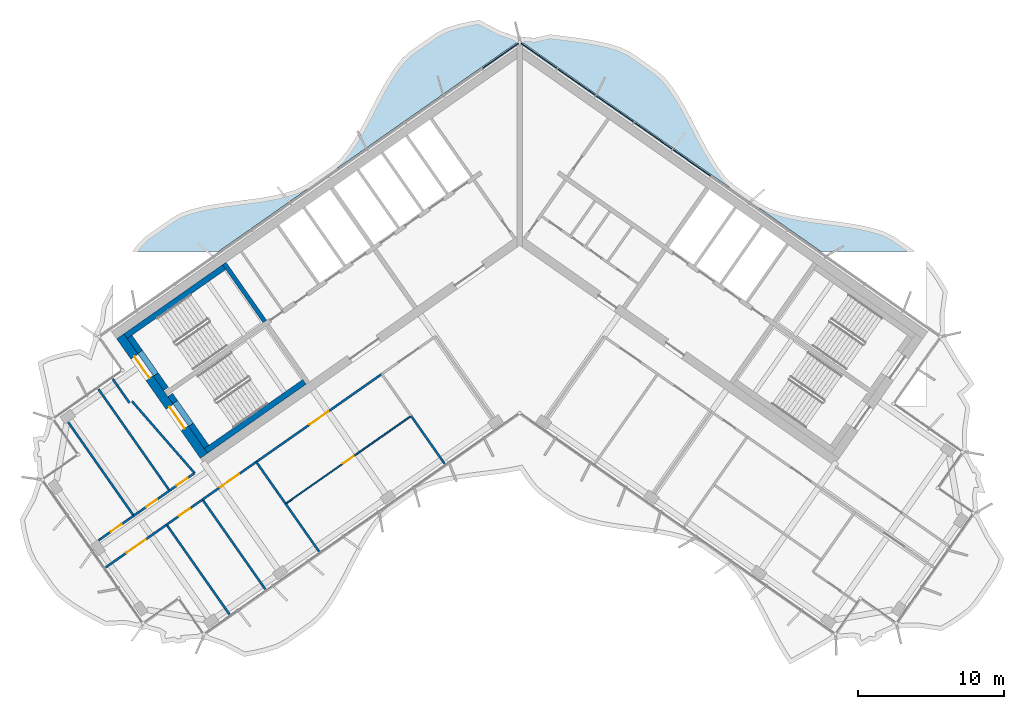
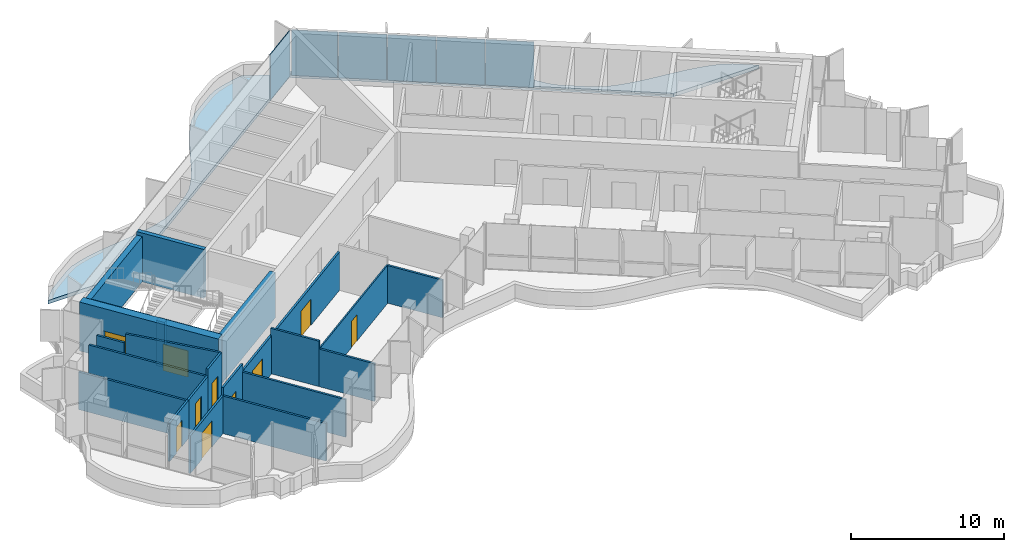
# One storey, part 9 of 18: 27 walls, 10 doors, 6 plates, 1 slab, 10 openings, 1 element without a shape of its own.
"""IFC4 building model written with IfcOpenShell, lengths in metres."""

from ifc_helpers import new_model, si_unit, direction, frame, frame_2d, origin, origin_2d, place, context, subcontext, project, spatial, polyline, rectangle, outline, extrude, material, layer, layer_set, type_object, element, fill, aggregate, save


model = new_model("IFC4")

# Units and contexts
model_context = context("Model", 3, precision=1e-05, world=origin(), true_north=direction((0.0, 1.0)))
body_context = subcontext(model_context, "Body", "Model", "MODEL_VIEW")
ifc_project = project(units=[si_unit("LENGTHUNIT", "METRE"), si_unit("AREAUNIT", "SQUARE_METRE"), si_unit("VOLUMEUNIT", "CUBIC_METRE"), si_unit("PLANEANGLEUNIT", "RADIAN"), si_unit("MASSUNIT", "GRAM", prefix="KILO")], contexts=[model_context])

# Site, building, storey
site_placement = place(None, origin())
site = spatial("IfcSite", under=ifc_project, at=site_placement, CompositionType="ELEMENT")
building_placement = place(site_placement, origin())
building = spatial("IfcBuilding", under=site, at=building_placement, Name="Tel Ilan Convention Tower", CompositionType="ELEMENT")
storey_placement = place(building_placement, frame((0.0, 0.0, 264.39990234375)))
storey = spatial("IfcBuildingStorey", under=building, at=storey_placement, Name="L62", CompositionType="ELEMENT", Elevation=264.39990234375)

# Curtain wall, plates
ifc_material_1 = material(Name="Aluminium, bronze anodised", Category="aluminium")
curtain_wall_type = type_object("IfcCurtainWallType", Name="CW2 STICK CURTAIN WALL, SPANDREL PANELS", PredefinedType="NOTDEFINED", material=ifc_material_1)
curtain_wall_placement = place(storey_placement, origin())
curtain_wall = element("IfcCurtainWall", 1, at=curtain_wall_placement, inside=storey, type_object=curtain_wall_type, Name="Curtain wall CW2-47.01", PredefinedType="NOTDEFINED")
ifc_material_2 = material(Name="Aluminium composite panel, bronze anodised", Category="aluminium")
ifc_layer_1 = layer(ifc_material_2, 0.06005859375)
ifc_layer_set_1 = layer_set([ifc_layer_1], Name="CW SPANDREL PANEL 60")
plate_type = type_object("IfcPlateType", Name="CW SPANDREL PANEL 60", PredefinedType="CURTAIN_PANEL", material=ifc_layer_set_1)
plate_1_placement = place(storey_placement, frame((11.789306640625, 4.44091796875, 0.0), z_axis=(0.0, 0.0, 1.0), x_axis=(-0.819152044289, 0.573576436351, 0.0)))
plate_1 = element("IfcPlate", 2, at=plate_1_placement, type_object=plate_type, Name="Spandrel panel", PredefinedType="CURTAIN_PANEL", context=body_context, shape_type="SweptSolid", body=[
    extrude(rectangle(XDim=3.15380859375, YDim=0.06005859375, at=origin_2d()), origin(), (0.0, 0.0, 1.0), 3.6201171875),
])
plate_2_placement = place(storey_placement, frame((9.15673828125, 6.284423828125, 0.0), z_axis=(0.0, 0.0, 1.0), x_axis=(-0.819152044289, 0.573576436351, 0.0)))
plate_2 = element("IfcPlate", 3, at=plate_2_placement, type_object=plate_type, Name="Spandrel panel", PredefinedType="CURTAIN_PANEL", context=body_context, shape_type="SweptSolid", body=[
    extrude(rectangle(XDim=3.15380859375, YDim=0.06005859375, at=origin_2d()), origin(), (0.0, 0.0, 1.0), 3.6201171875),
])
plate_3_placement = place(storey_placement, frame((6.524169921875, 8.127685546875, 0.0), z_axis=(0.0, 0.0, 1.0), x_axis=(-0.819152044289, 0.573576436351, 0.0)))
plate_3 = element("IfcPlate", 4, at=plate_3_placement, type_object=plate_type, Name="Spandrel panel", PredefinedType="CURTAIN_PANEL", context=body_context, shape_type="SweptSolid", body=[
    extrude(rectangle(XDim=3.15380859375, YDim=0.06005859375, at=origin_2d()), origin(), (0.0, 0.0, 1.0), 3.6201171875),
])
plate_4_placement = place(storey_placement, frame((3.8916015625, 9.97119140625, 0.0), z_axis=(0.0, 0.0, 1.0), x_axis=(-0.819152044289, 0.573576436351, 0.0)))
plate_4 = element("IfcPlate", 5, at=plate_4_placement, type_object=plate_type, Name="Spandrel panel", PredefinedType="CURTAIN_PANEL", context=body_context, shape_type="SweptSolid", body=[
    extrude(rectangle(XDim=3.15380859375, YDim=0.06005859375, at=origin_2d()), origin(), (0.0, 0.0, 1.0), 3.6201171875),
])
plate_5_placement = place(storey_placement, frame((1.303955078125, 11.782958984375, 0.0), z_axis=(0.0, 0.0, 1.0), x_axis=(-0.819152044289, 0.573576436351, 0.0)))
plate_5 = element("IfcPlate", 6, at=plate_5_placement, type_object=plate_type, Name="Spandrel panel", PredefinedType="CURTAIN_PANEL", context=body_context, shape_type="SweptSolid", body=[
    extrude(rectangle(XDim=3.0439453125, YDim=0.06005859375, at=origin_2d()), origin(), (0.0, 0.0, 1.0), 3.6201171875),
])
plate_6_placement = place(storey_placement, frame((-1.303955078125, 11.782958984375, 0.0), z_axis=(0.0, 0.0, 1.0), x_axis=(-0.819152044289, -0.573576436351, 0.0)))
plate_6 = element("IfcPlate", 7, at=plate_6_placement, type_object=plate_type, Name="Spandrel panel", PredefinedType="CURTAIN_PANEL", context=body_context, shape_type="SweptSolid", body=[
    extrude(rectangle(XDim=3.0439453125, YDim=0.06005859375, at=origin_2d()), origin(), (0.0, 0.0, 1.0), 3.6201171875),
])
aggregate(curtain_wall, [plate_1, plate_2, plate_3, plate_4, plate_5, plate_6])

# Slab
ifc_material_3 = material(Name="Concrete C40/50", Category="concrete")
ifc_layer_2 = layer(ifc_material_3, 0.280029296875)
ifc_layer_set_2 = layer_set([ifc_layer_2], Name="Edge Ledge Slab 280 mm C40/50")
slab_type = type_object("IfcSlabType", Name="Edge Ledge Slab 280 mm C40/50", PredefinedType="FLOOR", material=ifc_layer_set_2)
slab_placement = place(storey_placement, frame((0.0, 0.0, -0.27978515625)))
element("IfcSlab", 8, at=slab_placement, inside=storey, type_object=slab_type, Name="L62 edge ledge 2", PredefinedType="FLOOR", context=body_context, shape_type="SweptSolid", body=[
    extrude(outline(polyline([(-23.1982421875, 1.006591796875), (-22.4697265625, 1.250244140625), (-21.705322265625, 1.44287109375), (-20.91259765625, 1.594482421875), (-20.099365234375, 1.71728515625), (-19.275146484375, 1.824462890625), (-18.44970703125, 1.9296875), (-17.6328125, 2.047119140625), (-16.833984375, 2.18994140625), (-16.0615234375, 2.37109375), (-15.3232421875, 2.6005859375), (-14.651611328125, 2.92529296875), (-12.841552734375, 4.192626953125), (-12.284912109375, 4.681640625), (-11.809326171875, 5.28662109375), (-11.369140625, 5.94189453125), (-10.956787109375, 6.63720703125), (-10.564453125, 7.36083984375), (-10.182373046875, 8.09912109375), (-9.80078125, 8.83837890625), (-9.410400390625, 9.564697265625), (-9.001220703125, 10.264404296875), (-8.56494140625, 10.925537109375), (-8.094482421875, 11.53759765625), (-7.552001953125, 12.047119140625), (-5.7421875, 13.314208984375), (-5.0849609375, 13.66015625), (-4.3515625, 13.896484375), (-3.5830078125, 14.083251953125), (-2.785888671875, 14.228515625), (-1.357666015625, 13.472900390625), (-0.172119140625, 13.06396484375), (-0.168701171875, 13.05908203125), (-0.11474609375, 13.09521484375), (0.0, 13.1181640625), (0.11474609375, 13.09521484375), (0.168701171875, 13.05908203125), (0.172119140625, 13.06396484375), (1.02001953125, 12.99072265625), (2.08935546875, 13.234130859375), (2.913818359375, 13.12744140625), (3.739501953125, 13.0224609375), (4.55712890625, 12.90625), (5.357666015625, 12.765380859375), (6.132080078125, 12.587158203125), (6.872802734375, 12.361083984375), (7.552001953125, 12.047119140625), (9.36181640625, 10.77978515625), (9.925537109375, 10.300537109375), (10.403564453125, 9.69921875), (10.845947265625, 9.046875), (11.259521484375, 8.353515625), (11.653076171875, 7.631591796875), (12.035400390625, 6.893798828125), (12.416748046875, 6.154052734375), (12.806396484375, 5.426513671875), (13.214111328125, 4.724609375), (13.648193359375, 4.060791015625), (14.116455078125, 3.4453125), (14.651611328125, 2.92529296875), (16.46142578125, 1.657958984375), (17.111328125, 1.30224609375), (17.84228515625, 1.062255859375), (18.60888671875, 0.87255859375), (19.4033203125, 0.72314453125), (20.21728515625, 0.601806640625), (21.0419921875, 0.495361328125), (21.8671875, 0.3896484375), (22.68310546875, 0.27099609375), (23.480712890625, 0.1259765625), (24.2509765625, -0.057861328125), (24.987060546875, -0.290771484375), (25.6513671875, -0.626220703125), (27.087158203125, -1.631591796875), (20.63623046875, -1.631591796875), (0.0, 12.818115234375), (-20.63623046875, -1.631591796875), (-26.535888671875, -1.631591796875), (-26.1787109375, -1.156982421875), (-25.6513671875, -0.626220703125), (-23.84130859375, 0.64111328125), (-23.1982421875, 1.006591796875)])), origin(), (0.0, 0.0, 1.0), 0.27978515625),
])

# Wall
ifc_material_4 = material(Name="Concrete C40/50", Category="concrete")
ifc_layer_3 = layer(ifc_material_4, 0.300048828125)
ifc_layer_set_3 = layer_set([ifc_layer_3], Name="Core Shear Wall 300 mm C40/50")
wall_type_1 = type_object("IfcWallType", Name="Core Shear Wall 300 mm C40/50", PredefinedType="SHEAR", material=ifc_layer_set_3)
wall_1_placement = place(storey_placement, frame((-17.46923828125, -6.433349609375, 0.0), z_axis=(0.0, 0.0, 1.0), x_axis=(-0.573594092424, 0.81913968109, 0.0)))
element("IfcWall", 9, at=wall_1_placement, inside=storey, type_object=wall_type_1, Name="L62 core wall W-cross2-2", PredefinedType="SHEAR", context=body_context, shape_type="SweptSolid", body=[
    extrude(outline(polyline([(4.849853515625, -0.150146484375), (4.849853515625, 0.14990234375), (0.0, 0.14990234375), (0.0, -0.14990234375), (4.849853515625, -0.150146484375)])), origin(), (0.0, 0.0, 1.0), 3.900146484375),
])

# Wall, openings, doors
ifc_material_5 = material(Name="Concrete C40/50", Category="concrete")
ifc_layer_4 = layer(ifc_material_5, 0.60009765625)
ifc_layer_set_4 = layer_set([ifc_layer_4], Name="Core Shear Wall 600 mm C40/50")
wall_type_2 = type_object("IfcWallType", Name="Core Shear Wall 600 mm C40/50", PredefinedType="SHEAR", material=ifc_layer_set_4)
wall_2_placement = place(storey_placement, frame((-21.641845703125, -15.64208984375, 0.0), z_axis=(0.0, 0.0, 1.0), x_axis=(-0.573586866468, 0.819144740944, 0.0)))
wall_2 = element("IfcWall", 10, at=wall_2_placement, inside=storey, type_object=wall_type_2, Name="L62 core wall W-end", PredefinedType="SHEAR", context=body_context, shape_type="SweptSolid", body=[
    extrude(outline(polyline([(0.0, 0.300048828125), (0.0, -0.2998046875), (10.0, -0.300048828125), (10.0, 0.300048828125), (0.0, 0.300048828125)])), origin(), (0.0, 0.0, 1.0), 3.900146484375),
])
opening_1_placement = place(wall_2_placement, frame((6.5, 0.0, 0.0)))
opening_1 = element("IfcOpeningElement", 11, at=opening_1_placement, cuts=wall_2, Name="Opening SD4701", PredefinedType="OPENING", context=body_context, shape_type="SweptSolid", body=[
    extrude(rectangle(XDim=1.800048828125, YDim=2.10009765625, at=frame_2d((0.89990234375, 1.050048828125))), frame((0.0, 0.31005859375, 0.0), z_axis=(0.0, -1.0, 0.0), x_axis=(1.0, 0.0, 0.0)), (0.0, 0.0, 1.0), 0.6201171875),
])
opening_2_placement = place(wall_2_placement, frame((2.300048828125, 0.0, 0.0)))
opening_2 = element("IfcOpeningElement", 12, at=opening_2_placement, cuts=wall_2, Name="Opening SD4702", PredefinedType="OPENING", context=body_context, shape_type="SweptSolid", body=[
    extrude(rectangle(XDim=1.800048828125, YDim=2.10009765625, at=frame_2d((0.89990234375, 1.050048828125))), frame((0.0, 0.31005859375, 0.0), z_axis=(0.0, -1.0, 0.0), x_axis=(1.0, 0.0, 0.0)), (0.0, 0.0, 1.0), 0.6201171875),
])
ifc_material_6 = material(Name="Galvanised Steel Door Leaf", Category="steel")
door_type_1 = type_object("IfcDoorType", Name="Stair Fire Door 1800 x 2100 FD60S", OperationType="NOTDEFINED", PredefinedType="DOOR", material=ifc_material_6)
door_1_placement = place(opening_1_placement, origin())
door_1 = element("IfcDoor", 13, at=door_1_placement, inside=storey, type_object=door_type_1, Name="Stair S1 door", OperationType="DOUBLE_DOOR_SINGLE_SWING", OverallHeight=2.10009765625, OverallWidth=1.800048828125, PredefinedType="DOOR", context=body_context, shape_type="SweptSolid", body=[
    extrude(rectangle(XDim=1.800048828125, YDim=2.10009765625, at=frame_2d((0.89990234375, 1.050048828125))), frame((0.0, 0.02490234375, 0.0), z_axis=(0.0, -1.0, 0.0), x_axis=(1.0, 0.0, 0.0)), (0.0, 0.0, 1.0), 0.050048828125),
])
fill(opening_1, door_1)
door_2_placement = place(opening_2_placement, origin())
door_2 = element("IfcDoor", 14, at=door_2_placement, inside=storey, type_object=door_type_1, Name="Stair S2 door", OperationType="DOUBLE_DOOR_SINGLE_SWING", OverallHeight=2.10009765625, OverallWidth=1.800048828125, PredefinedType="DOOR", context=body_context, shape_type="SweptSolid", body=[
    extrude(rectangle(XDim=1.800048828125, YDim=2.10009765625, at=frame_2d((0.89990234375, 1.050048828125))), frame((0.0, 0.02490234375, 0.0), z_axis=(0.0, -1.0, 0.0), x_axis=(1.0, 0.0, 0.0)), (0.0, 0.0, 1.0), 0.050048828125),
])
fill(opening_2, door_2)

# Wall, opening, door
ifc_material_7 = material(Name="Plasterboard on Steel Studs", Category="steel")
ifc_layer_5 = layer(ifc_material_7, 0.14990234375)
ifc_layer_set_5 = layer_set([ifc_layer_5], Name="Fire-rated Partition 150 EI 60")
wall_type_3 = type_object("IfcWallType", Name="Fire-rated Partition 150 EI 60", PredefinedType="PARTITIONING", material=ifc_layer_set_5)
wall_3_placement = place(storey_placement, frame((-24.002197265625, -18.028076171875, 0.0), z_axis=(0.0, 0.0, 1.0), x_axis=(0.819144473797, 0.573587247982, 0.0)))
wall_3 = element("IfcWall", 15, at=wall_3_placement, inside=storey, type_object=wall_type_3, Name="Partition 007", PredefinedType="PARTITIONING", context=body_context, shape_type="SweptSolid", body=[
    extrude(rectangle(XDim=2.098876953125, YDim=0.14990234375, at=frame_2d((1.04931640625, 0.0))), origin(), (0.0, 0.0, 1.0), 3.6201171875),
])
opening_3_placement = place(wall_3_placement, frame((0.599365234375, 0.0, 0.0)))
opening_3 = element("IfcOpeningElement", 16, at=opening_3_placement, cuts=wall_3, Name="Opening L62-007", PredefinedType="OPENING", context=body_context, shape_type="SweptSolid", body=[
    extrude(rectangle(XDim=0.89990234375, YDim=2.10009765625, at=frame_2d((0.449951171875, 1.050048828125))), frame((0.0, 0.0849609375, 0.0), z_axis=(0.0, -1.0, 0.0), x_axis=(1.0, 0.0, 0.0)), (0.0, 0.0, 1.0), 0.169921875),
])
ifc_material_8 = material(Name="Timber Door Leaf in Steel Frame", Category="steel")
door_type_2 = type_object("IfcDoorType", Name="Room Fire Door 900x2100", OperationType="NOTDEFINED", PredefinedType="DOOR", material=ifc_material_8)
door_3_placement = place(opening_3_placement, origin())
door_3 = element("IfcDoor", 17, at=door_3_placement, inside=storey, type_object=door_type_2, Name="Door L62-007", OperationType="SINGLE_SWING_LEFT", OverallHeight=2.10009765625, OverallWidth=0.89990234375, PredefinedType="DOOR", context=body_context, shape_type="SweptSolid", body=[
    extrude(rectangle(XDim=0.89990234375, YDim=2.10009765625, at=frame_2d((0.449951171875, 1.050048828125))), frame((0.0, 0.02490234375, 0.0), z_axis=(0.0, -1.0, 0.0), x_axis=(1.0, 0.0, 0.0)), (0.0, 0.0, 1.0), 0.050048828125),
])
fill(opening_3, door_3)

wall_4_placement = place(storey_placement, frame((-26.45947265625, -19.748779296875, 0.0), z_axis=(0.0, 0.0, 1.0), x_axis=(0.819140265446, 0.573593257914, 0.0)))
wall_4 = element("IfcWall", 18, at=wall_4_placement, inside=storey, type_object=wall_type_3, Name="Partition 008", PredefinedType="PARTITIONING", context=body_context, shape_type="SweptSolid", body=[
    extrude(rectangle(XDim=3.003662109375, YDim=0.14990234375, at=frame_2d((1.501953125, 0.0))), origin(), (0.0, 0.0, 1.0), 3.050048828125),
])
opening_4_placement = place(wall_4_placement, frame((1.0517578125, 0.0, 0.0)))
opening_4 = element("IfcOpeningElement", 19, at=opening_4_placement, cuts=wall_4, Name="Opening L62-008", PredefinedType="OPENING", context=body_context, shape_type="SweptSolid", body=[
    extrude(rectangle(XDim=0.89990234375, YDim=2.10009765625, at=frame_2d((0.449951171875, 1.050048828125))), frame((0.0, 0.0849609375, 0.0), z_axis=(0.0, -1.0, 0.0), x_axis=(1.0, 0.0, 0.0)), (0.0, 0.0, 1.0), 0.169921875),
])
door_4_placement = place(opening_4_placement, origin())
door_4 = element("IfcDoor", 20, at=door_4_placement, inside=storey, type_object=door_type_2, Name="Door L62-008", OperationType="SINGLE_SWING_LEFT", OverallHeight=2.10009765625, OverallWidth=0.89990234375, PredefinedType="DOOR", context=body_context, shape_type="SweptSolid", body=[
    extrude(rectangle(XDim=0.89990234375, YDim=2.10009765625, at=frame_2d((0.449951171875, 1.050048828125))), frame((0.0, 0.02490234375, 0.0), z_axis=(0.0, -1.0, 0.0), x_axis=(1.0, 0.0, 0.0)), (0.0, 0.0, 1.0), 0.050048828125),
])
fill(opening_4, door_4)

wall_5_placement = place(storey_placement, frame((-28.858154296875, -21.428466796875, 0.0), z_axis=(0.0, 0.0, 1.0), x_axis=(0.819149757547, 0.573579702143, 0.0)))
wall_5 = element("IfcWall", 21, at=wall_5_placement, inside=storey, type_object=wall_type_3, Name="Partition 009", PredefinedType="PARTITIONING", context=body_context, shape_type="SweptSolid", body=[
    extrude(rectangle(XDim=2.931884765625, YDim=0.14990234375, at=frame_2d((1.4658203125, 0.0))), origin(), (0.0, 0.0, 1.0), 3.050048828125),
])
opening_5_placement = place(wall_5_placement, frame((1.015869140625, 0.0, 0.0)))
opening_5 = element("IfcOpeningElement", 22, at=opening_5_placement, cuts=wall_5, Name="Opening L62-009", PredefinedType="OPENING", context=body_context, shape_type="SweptSolid", body=[
    extrude(rectangle(XDim=0.89990234375, YDim=2.10009765625, at=frame_2d((0.449951171875, 1.050048828125))), frame((0.0, 0.0849609375, 0.0), z_axis=(0.0, -1.0, 0.0), x_axis=(1.0, 0.0, 0.0)), (0.0, 0.0, 1.0), 0.169921875),
])
door_5_placement = place(opening_5_placement, origin())
door_5 = element("IfcDoor", 23, at=door_5_placement, inside=storey, type_object=door_type_2, Name="Door L62-009", OperationType="SINGLE_SWING_RIGHT", OverallHeight=2.10009765625, OverallWidth=0.89990234375, PredefinedType="DOOR", context=body_context, shape_type="SweptSolid", body=[
    extrude(rectangle(XDim=0.89990234375, YDim=2.10009765625, at=frame_2d((0.449951171875, 1.050048828125))), frame((0.0, 0.02490234375, 0.0), z_axis=(0.0, -1.0, 0.0), x_axis=(1.0, 0.0, 0.0)), (0.0, 0.0, 1.0), 0.050048828125),
])
fill(opening_5, door_5)

wall_6_placement = place(storey_placement, frame((-9.450927734375, -10.035888671875, 0.0), z_axis=(0.0, 0.0, 1.0), x_axis=(-0.819164214721, -0.57355905478, 0.0)))
wall_6 = element("IfcWall", 24, at=wall_6_placement, inside=storey, type_object=wall_type_3, Name="Partition 011", PredefinedType="PARTITIONING", context=body_context, shape_type="SweptSolid", body=[
    extrude(rectangle(XDim=10.50390625, YDim=0.14990234375, at=frame_2d((5.251953125, 0.0))), origin(), (0.0, 0.0, 1.0), 3.050048828125),
])
opening_6_placement = place(wall_6_placement, frame((4.451904296875, 0.0, 0.0)))
opening_6 = element("IfcOpeningElement", 25, at=opening_6_placement, cuts=wall_6, Name="Opening L62-002", PredefinedType="OPENING", context=body_context, shape_type="SweptSolid", body=[
    extrude(rectangle(XDim=1.60009765625, YDim=2.10009765625, at=frame_2d((0.800048828125, 1.050048828125))), frame((0.0, 0.0849609375, 0.0), z_axis=(0.0, -1.0, 0.0), x_axis=(1.0, 0.0, 0.0)), (0.0, 0.0, 1.0), 0.169921875),
])
ifc_material_9 = material(Name="Timber Door Leaf in Steel Frame", Category="steel")
door_type_3 = type_object("IfcDoorType", Name="Tenant Suite Entrance Fire Door 1600x2100", OperationType="NOTDEFINED", PredefinedType="DOOR", material=ifc_material_9)
door_6_placement = place(opening_6_placement, origin())
door_6 = element("IfcDoor", 26, at=door_6_placement, inside=storey, type_object=door_type_3, Name="Door L62-002", OperationType="DOUBLE_DOOR_SINGLE_SWING", OverallHeight=2.10009765625, OverallWidth=1.60009765625, PredefinedType="DOOR", context=body_context, shape_type="SweptSolid", body=[
    extrude(rectangle(XDim=1.60009765625, YDim=2.10009765625, at=frame_2d((0.800048828125, 1.050048828125))), frame((0.0, 0.02490234375, 0.0), z_axis=(0.0, -1.0, 0.0), x_axis=(1.0, 0.0, 0.0)), (0.0, 0.0, 1.0), 0.050048828125),
])
fill(opening_6, door_6)

wall_7_placement = place(storey_placement, frame((-18.052001953125, -16.058349609375, 0.0), z_axis=(0.0, 0.0, 1.0), x_axis=(-0.819165703328, -0.573556928727, 0.0)))
wall_7 = element("IfcWall", 27, at=wall_7_placement, inside=storey, type_object=wall_type_3, Name="Partition 012", PredefinedType="PARTITIONING", context=body_context, shape_type="SweptSolid", body=[
    extrude(rectangle(XDim=4.50390625, YDim=0.14990234375, at=frame_2d((2.251953125, 0.0))), origin(), (0.0, 0.0, 1.0), 3.050048828125),
])
opening_7_placement = place(wall_7_placement, frame((1.451904296875, 0.0, 0.0)))
opening_7 = element("IfcOpeningElement", 28, at=opening_7_placement, cuts=wall_7, Name="Opening L62-004", PredefinedType="OPENING", context=body_context, shape_type="SweptSolid", body=[
    extrude(rectangle(XDim=1.60009765625, YDim=2.10009765625, at=frame_2d((0.800048828125, 1.050048828125))), frame((0.0, 0.0849609375, 0.0), z_axis=(0.0, -1.0, 0.0), x_axis=(1.0, 0.0, 0.0)), (0.0, 0.0, 1.0), 0.169921875),
])
door_7_placement = place(opening_7_placement, origin())
door_7 = element("IfcDoor", 29, at=door_7_placement, inside=storey, type_object=door_type_3, Name="Door L62-004", OperationType="DOUBLE_DOOR_SINGLE_SWING", OverallHeight=2.10009765625, OverallWidth=1.60009765625, PredefinedType="DOOR", context=body_context, shape_type="SweptSolid", body=[
    extrude(rectangle(XDim=1.60009765625, YDim=2.10009765625, at=frame_2d((0.800048828125, 1.050048828125))), frame((0.0, 0.02490234375, 0.0), z_axis=(0.0, -1.0, 0.0), x_axis=(1.0, 0.0, 0.0)), (0.0, 0.0, 1.0), 0.050048828125),
])
fill(opening_7, door_7)

wall_8_placement = place(storey_placement, frame((-21.73828125, -18.639404296875, 0.0), z_axis=(0.0, 0.0, 1.0), x_axis=(-0.81916700466, -0.573555070134, 0.0)))
wall_8 = element("IfcWall", 30, at=wall_8_placement, inside=storey, type_object=wall_type_3, Name="Partition 013", PredefinedType="PARTITIONING", context=body_context, shape_type="SweptSolid", body=[
    extrude(rectangle(XDim=3.00390625, YDim=0.14990234375, at=frame_2d((1.501953125, 0.0))), origin(), (0.0, 0.0, 1.0), 3.6201171875),
])
opening_8_placement = place(wall_8_placement, frame((1.052001953125, 0.0, 0.0)))
opening_8 = element("IfcOpeningElement", 31, at=opening_8_placement, cuts=wall_8, Name="Opening L62-005", PredefinedType="OPENING", context=body_context, shape_type="SweptSolid", body=[
    extrude(rectangle(XDim=0.89990234375, YDim=2.10009765625, at=frame_2d((0.449951171875, 1.050048828125))), frame((0.0, 0.0849609375, 0.0), z_axis=(0.0, -1.0, 0.0), x_axis=(1.0, 0.0, 0.0)), (0.0, 0.0, 1.0), 0.169921875),
])
door_8_placement = place(opening_8_placement, origin())
door_8 = element("IfcDoor", 32, at=door_8_placement, inside=storey, type_object=door_type_2, Name="Door L62-005", OperationType="SINGLE_SWING_RIGHT", OverallHeight=2.10009765625, OverallWidth=0.89990234375, PredefinedType="DOOR", context=body_context, shape_type="SweptSolid", body=[
    extrude(rectangle(XDim=0.89990234375, YDim=2.10009765625, at=frame_2d((0.449951171875, 1.050048828125))), frame((0.0, 0.02490234375, 0.0), z_axis=(0.0, -1.0, 0.0), x_axis=(1.0, 0.0, 0.0)), (0.0, 0.0, 1.0), 0.050048828125),
])
fill(opening_8, door_8)

wall_9_placement = place(storey_placement, frame((-24.19580078125, -20.360107421875, 0.0), z_axis=(0.0, 0.0, 1.0), x_axis=(-0.819132992492, -0.573603644176, 0.0)))
wall_9 = element("IfcWall", 33, at=wall_9_placement, inside=storey, type_object=wall_type_3, Name="Partition 014", PredefinedType="PARTITIONING", context=body_context, shape_type="SweptSolid", body=[
    extrude(rectangle(XDim=5.10205078125, YDim=0.14990234375, at=frame_2d((2.551025390625, 0.0))), origin(), (0.0, 0.0, 1.0), 3.0),
])
opening_9_placement = place(wall_9_placement, frame((1.7509765625, 0.0, 0.0)))
opening_9 = element("IfcOpeningElement", 34, at=opening_9_placement, cuts=wall_9, Name="Opening L62-006", PredefinedType="OPENING", context=body_context, shape_type="SweptSolid", body=[
    extrude(rectangle(XDim=1.60009765625, YDim=2.10009765625, at=frame_2d((0.800048828125, 1.050048828125))), frame((0.0, 0.0849609375, 0.0), z_axis=(0.0, -1.0, 0.0), x_axis=(1.0, 0.0, 0.0)), (0.0, 0.0, 1.0), 0.169921875),
])
door_9_placement = place(opening_9_placement, origin())
door_9 = element("IfcDoor", 35, at=door_9_placement, inside=storey, type_object=door_type_3, Name="Door L62-006", OperationType="DOUBLE_DOOR_SINGLE_SWING", OverallHeight=2.10009765625, OverallWidth=1.60009765625, PredefinedType="DOOR", context=body_context, shape_type="SweptSolid", body=[
    extrude(rectangle(XDim=1.60009765625, YDim=2.10009765625, at=frame_2d((0.800048828125, 1.050048828125))), frame((0.0, 0.02490234375, 0.0), z_axis=(0.0, -1.0, 0.0), x_axis=(1.0, 0.0, 0.0)), (0.0, 0.0, 1.0), 0.050048828125),
])
fill(opening_9, door_9)

# Walls
wall_10_placement = place(storey_placement, frame((-26.74609375, -12.013671875, 0.0), z_axis=(0.0, 0.0, 1.0), x_axis=(-0.573568836472, 0.819157365729, 0.0)))
element("IfcWall", 36, at=wall_10_placement, inside=storey, type_object=wall_type_3, Name="Partition 025", PredefinedType="PARTITIONING", context=body_context, shape_type="SweptSolid", body=[
    extrude(rectangle(XDim=2.000244140625, YDim=0.14990234375, at=frame_2d((1.0, 0.0))), origin(), (0.0, 0.0, 1.0), 3.050048828125),
])
wall_11_placement = place(storey_placement, frame((-22.28369140625, -16.826416015625, 0.0), z_axis=(0.0, 0.0, 1.0), x_axis=(-0.656758142177, 0.754101281449, 0.0)))
element("IfcWall", 37, at=wall_11_placement, inside=storey, type_object=wall_type_3, Name="Partition 026", PredefinedType="PARTITIONING", context=body_context, shape_type="SweptSolid", body=[
    extrude(rectangle(XDim=6.53857421875, YDim=0.14990234375, at=frame_2d((3.269287109375, 0.0))), origin(), (0.0, 0.0, 1.0), 3.6201171875),
])
wall_12_placement = place(storey_placement, frame((-24.0009765625, -18.0263671875, 0.0), z_axis=(0.0, 0.0, 1.0), x_axis=(-0.573591492816, 0.819141501433, 0.0)))
element("IfcWall", 38, at=wall_12_placement, inside=storey, type_object=wall_type_3, Name="Partition 027", PredefinedType="PARTITIONING", context=body_context, shape_type="SweptSolid", body=[
    extrude(rectangle(XDim=8.5, YDim=0.14990234375, at=frame_2d((4.25, 0.0))), origin(), (0.0, 0.0, 1.0), 3.050048828125),
])
wall_13_placement = place(storey_placement, frame((-26.45849609375, -19.747314453125, 0.0), z_axis=(0.0, 0.0, 1.0), x_axis=(-0.573558601227, 0.819164532288, 0.0)))
element("IfcWall", 39, at=wall_13_placement, inside=storey, type_object=wall_type_3, Name="Partition 028", PredefinedType="PARTITIONING", context=body_context, shape_type="SweptSolid", body=[
    extrude(rectangle(XDim=7.830078125, YDim=0.14990234375, at=frame_2d((3.9150390625, 0.0))), origin(), (0.0, 0.0, 1.0), 3.0),
])
wall_14_placement = place(storey_placement, frame((-5.150634765625, -16.180419921875, 0.0), z_axis=(0.0, 0.0, 1.0), x_axis=(-0.573593387921, 0.81914017441, 0.0)))
element("IfcWall", 40, at=wall_14_placement, inside=storey, type_object=wall_type_3, Name="Partition 029", PredefinedType="PARTITIONING", context=body_context, shape_type="SweptSolid", body=[
    extrude(rectangle(XDim=4.0009765625, YDim=0.14990234375, at=frame_2d((2.00048828125, 0.0))), origin(), (0.0, 0.0, 1.0), 3.0),
])
wall_15_placement = place(storey_placement, frame((-13.751708984375, -22.203125, 0.0), z_axis=(0.0, 0.0, 1.0), x_axis=(-0.573560675104, 0.819163080207, 0.0)))
element("IfcWall", 41, at=wall_15_placement, inside=storey, type_object=wall_type_3, Name="Partition 032", PredefinedType="PARTITIONING", context=body_context, shape_type="SweptSolid", body=[
    extrude(rectangle(XDim=3.9990234375, YDim=0.14990234375, at=frame_2d((1.99951171875, 0.0))), origin(), (0.0, 0.0, 1.0), 3.0),
])
wall_16_placement = place(storey_placement, frame((-16.046142578125, -18.926513671875, 0.0), z_axis=(0.0, 0.0, 1.0), x_axis=(-0.573598101901, 0.81913687348, 0.0)))
element("IfcWall", 42, at=wall_16_placement, inside=storey, type_object=wall_type_3, Name="Partition 033", PredefinedType="PARTITIONING", context=body_context, shape_type="SweptSolid", body=[
    extrude(rectangle(XDim=3.5, YDim=0.14990234375, at=frame_2d((1.75, 0.0))), origin(), (0.0, 0.0, 1.0), 3.6201171875),
])
for number, where, z_axis, x_axis, name in (
    (43, (-17.43798828125, -24.7841796875, 0.0), (0.0, 0.0, 1.0), (-0.573575945067, 0.81915238829, 0.0), "Partition 034"),
    (44, (-19.8955078125, -26.5048828125, 0.0), (0.0, 0.0, 1.0), (-0.573575945067, 0.81915238829, 0.0), "Partition 035"),
):
    element("IfcWall", number, at=place(storey_placement, frame(where, z_axis=z_axis, x_axis=x_axis)), inside=storey, type_object=wall_type_3, Name=name, PredefinedType="PARTITIONING", context=body_context, shape_type="SweptSolid", body=[
        extrude(rectangle(XDim=7.5, YDim=0.14990234375, at=frame_2d((3.75, 0.0))), origin(), (0.0, 0.0, 1.0), 3.0),
    ])

# Wall, opening, door
ifc_material_10 = material(Name="Plasterboard on Steel Studs", Category="steel")
ifc_layer_6 = layer(ifc_material_10, 0.10009765625)
ifc_layer_set_6 = layer_set([ifc_layer_6], Name="Plasterboard Partition 100")
wall_type_4 = type_object("IfcWallType", Name="Plasterboard Partition 100", PredefinedType="PARTITIONING", material=ifc_layer_set_6)
wall_17_placement = place(storey_placement, frame((-7.4443359375, -12.90478515625, 0.0), z_axis=(0.0, 0.0, 1.0), x_axis=(-0.819155448096, -0.573571575181, 0.0)))
wall_17 = element("IfcWall", 45, at=wall_17_placement, inside=storey, type_object=wall_type_4, Name="Partition 031", PredefinedType="PARTITIONING", context=body_context, shape_type="SweptSolid", body=[
    extrude(rectangle(XDim=10.5, YDim=0.10009765625, at=frame_2d((5.25, 0.0))), origin(), (0.0, 0.0, 1.0), 3.050048828125),
])
opening_10_placement = place(wall_17_placement, frame((4.800048828125, 0.0, 0.0)))
opening_10 = element("IfcOpeningElement", 46, at=opening_10_placement, cuts=wall_17, Name="Opening L62-003", PredefinedType="OPENING", context=body_context, shape_type="SweptSolid", body=[
    extrude(rectangle(XDim=0.89990234375, YDim=2.10009765625, at=frame_2d((0.449951171875, 1.050048828125))), frame((0.0, 0.06005859375, 0.0), z_axis=(0.0, -1.0, 0.0), x_axis=(1.0, 0.0, 0.0)), (0.0, 0.0, 1.0), 0.1201171875),
])
ifc_material_11 = material(Name="Timber Door Leaf in Steel Frame", Category="steel")
door_type_4 = type_object("IfcDoorType", Name="Room Timber Door 900x2100", OperationType="NOTDEFINED", PredefinedType="DOOR", material=ifc_material_11)
door_10_placement = place(opening_10_placement, origin())
door_10 = element("IfcDoor", 47, at=door_10_placement, inside=storey, type_object=door_type_4, Name="Door L62-003", OperationType="SINGLE_SWING_RIGHT", OverallHeight=2.10009765625, OverallWidth=0.89990234375, PredefinedType="DOOR", context=body_context, shape_type="SweptSolid", body=[
    extrude(rectangle(XDim=0.89990234375, YDim=2.10009765625, at=frame_2d((0.449951171875, 1.050048828125))), frame((0.0, 0.02490234375, 0.0), z_axis=(0.0, -1.0, 0.0), x_axis=(1.0, 0.0, 0.0)), (0.0, 0.0, 1.0), 0.050048828125),
])
fill(opening_10, door_10)

# Walls
ifc_material_12 = material(Name="Concrete C30/37", Category="concrete")
ifc_layer_7 = layer(ifc_material_12, 0.39990234375)
ifc_layer_set_7 = layer_set([ifc_layer_7], Name="Stair and Shaft Lining Wall 400 mm C30/37")
wall_type_5 = type_object("IfcWallType", Name="Stair and Shaft Lining Wall 400 mm C30/37", PredefinedType="SOLIDWALL", material=ifc_layer_set_7)
wall_18_placement = place(storey_placement, frame((-20.25927734375, -2.71044921875, 0.0), z_axis=(0.0, 0.0, 1.0), x_axis=(-0.81914849389, -0.573581506813, 0.0)))
element("IfcWall", 48, at=wall_18_placement, inside=storey, type_object=wall_type_5, Name="L62 core wall lining-S1-t1", PredefinedType="SOLIDWALL", context=body_context, shape_type="SweptSolid", body=[
    extrude(rectangle(XDim=8.249755859375, YDim=0.39990234375, at=frame_2d((4.125, 0.0))), origin(), (0.0, 0.0, 1.0), 3.6201171875),
])
wall_19_placement = place(storey_placement, frame((-24.24365234375, -11.0546875, 0.0), z_axis=(0.0, 0.0, 1.0), x_axis=(-0.573571582932, 0.819155442668, 0.0)))
element("IfcWall", 49, at=wall_19_placement, inside=storey, type_object=wall_type_5, Name="L62 core wall lining-S1-u1-0", PredefinedType="SOLIDWALL", context=body_context, shape_type="SweptSolid", body=[
    extrude(rectangle(XDim=1.199951171875, YDim=0.39990234375, at=frame_2d((0.60009765625, 0.0))), origin(), (0.0, 0.0, 1.0), 3.6201171875),
])
wall_20_placement = place(storey_placement, frame((-26.021728515625, -8.515380859375, 0.0), z_axis=(0.0, 0.0, 1.0), x_axis=(-0.573619628835, 0.819121798889, 0.0)))
element("IfcWall", 50, at=wall_20_placement, inside=storey, type_object=wall_type_5, Name="L62 core wall lining-S1-u1-1", PredefinedType="SOLIDWALL", context=body_context, shape_type="SweptSolid", body=[
    extrude(rectangle(XDim=1.25, YDim=0.39990234375, at=frame_2d((0.625, 0.0))), origin(), (0.0, 0.0, 1.0), 3.6201171875),
])
wall_21_placement = place(storey_placement, frame((-24.931884765625, -10.07177734375, 2.150146484375), z_axis=(0.0, 0.0, 1.0), x_axis=(-0.573591692345, 0.819141361715, 0.0)))
element("IfcWall", 51, at=wall_21_placement, inside=storey, type_object=wall_type_5, Name="L62 core wall lining-S1-u1-lintel", PredefinedType="SOLIDWALL", context=body_context, shape_type="SweptSolid", body=[
    extrude(rectangle(XDim=1.900146484375, YDim=0.39990234375, at=frame_2d((0.9501953125, 0.0))), origin(), (0.0, 0.0, 1.0), 1.469970703125),
])
wall_22_placement = place(storey_placement, frame((-14.7529296875, -10.57421875, 0.0), z_axis=(0.0, 0.0, 1.0), x_axis=(-0.819158229677, -0.573567602601, 0.0)))
element("IfcWall", 52, at=wall_22_placement, inside=storey, type_object=wall_type_5, Name="L62 core wall lining-S2-t0", PredefinedType="SOLIDWALL", context=body_context, shape_type="SweptSolid", body=[
    extrude(rectangle(XDim=8.25, YDim=0.39990234375, at=frame_2d((4.125, 0.0))), origin(), (0.0, 0.0, 1.0), 3.6201171875),
])
wall_23_placement = place(storey_placement, frame((-21.4619140625, -15.027587890625, 0.0), z_axis=(0.0, 0.0, 1.0), x_axis=(-0.573559770908, 0.819163713305, 0.0)))
element("IfcWall", 53, at=wall_23_placement, inside=storey, type_object=wall_type_5, Name="L62 core wall lining-S2-u1-0", PredefinedType="SOLIDWALL", context=body_context, shape_type="SweptSolid", body=[
    extrude(rectangle(XDim=1.849853515625, YDim=0.39990234375, at=frame_2d((0.9248046875, 0.0))), origin(), (0.0, 0.0, 1.0), 3.6201171875),
])
wall_24_placement = place(storey_placement, frame((-23.61279296875, -11.955810546875, 0.0), z_axis=(0.0, 0.0, 1.0), x_axis=(-0.573435029941, 0.819251039936, 0.0)))
element("IfcWall", 54, at=wall_24_placement, inside=storey, type_object=wall_type_5, Name="L62 core wall lining-S2-u1-1", PredefinedType="SOLIDWALL", context=body_context, shape_type="SweptSolid", body=[
    extrude(rectangle(XDim=0.599853515625, YDim=0.39990234375, at=frame_2d((0.2998046875, 0.0))), origin(), (0.0, 0.0, 1.0), 3.6201171875),
])
wall_25_placement = place(storey_placement, frame((-22.52294921875, -13.51220703125, 2.150146484375), z_axis=(0.0, 0.0, 1.0), x_axis=(-0.573591692345, 0.819141361715, 0.0)))
element("IfcWall", 55, at=wall_25_placement, inside=storey, type_object=wall_type_5, Name="L62 core wall lining-S2-u1-lintel", PredefinedType="SOLIDWALL", context=body_context, shape_type="SweptSolid", body=[
    extrude(rectangle(XDim=1.900146484375, YDim=0.39990234375, at=frame_2d((0.9501953125, 0.0))), origin(), (0.0, 0.0, 1.0), 1.469970703125),
])

save(model, "model.ifc")
